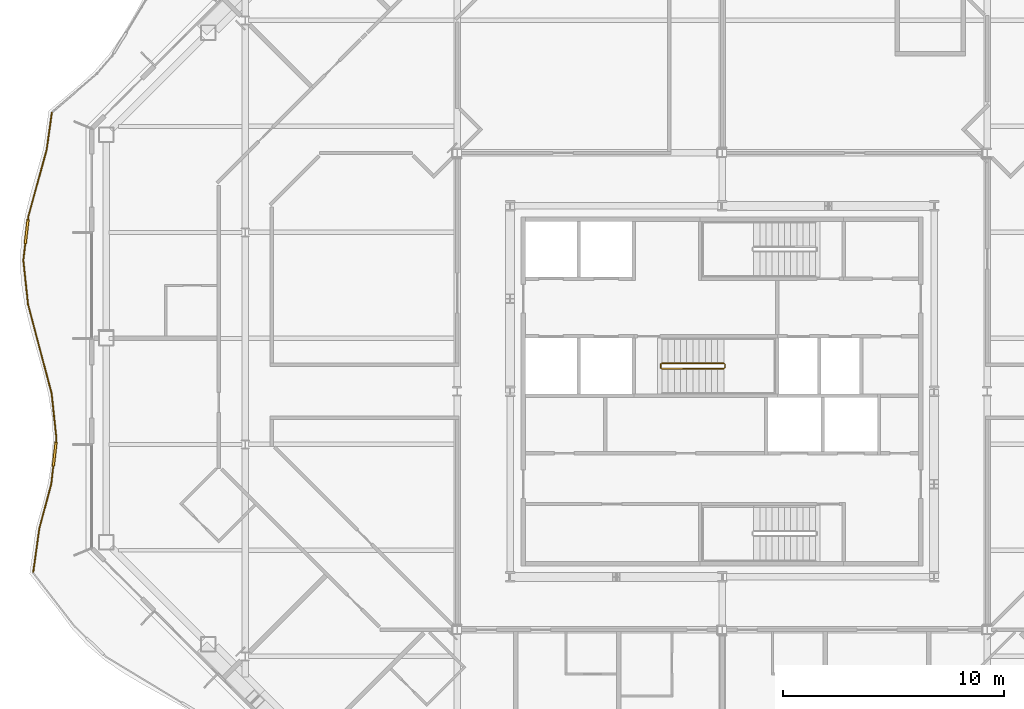
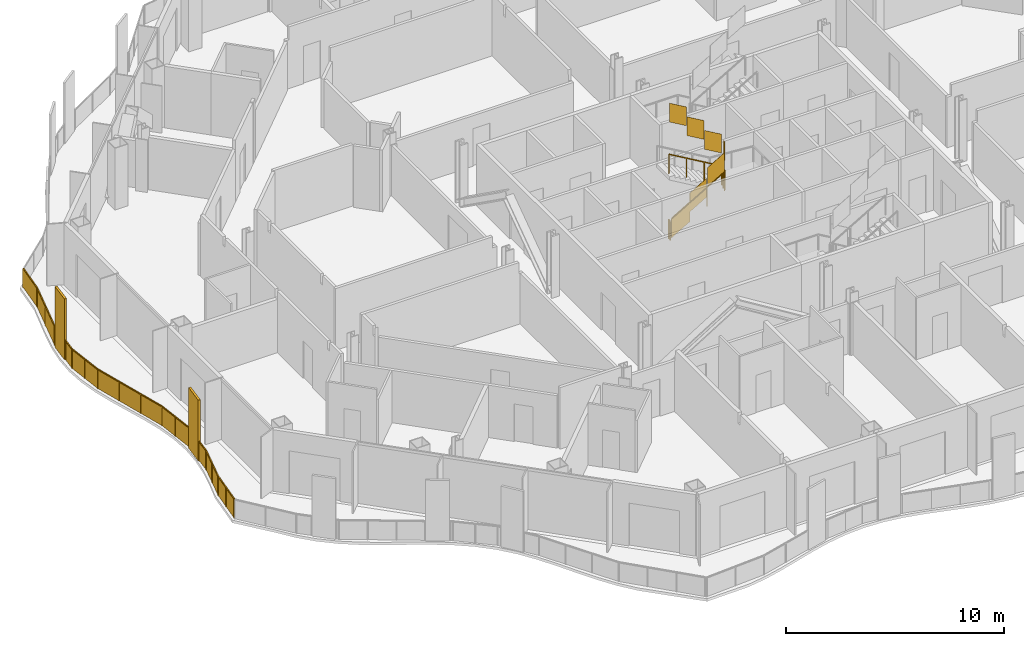
# One storey, part 17 of 21: 3 railings.
"""IFC4 building model written with IfcOpenShell, lengths in metres."""

from ifc_helpers import new_model, si_unit, direction, frame, origin, origin_2d, place, context, subcontext, project, spatial, polyline, rectangle, outline, extrude, material, type_object, element, save


model = new_model("IFC4")

# Units and contexts
model_context = context("Model", 3, precision=1e-05, world=origin(), true_north=direction((0.0, 1.0)))
body_context = subcontext(model_context, "Body", "Model", "MODEL_VIEW")
ifc_project = project(units=[si_unit("LENGTHUNIT", "METRE"), si_unit("AREAUNIT", "SQUARE_METRE"), si_unit("VOLUMEUNIT", "CUBIC_METRE"), si_unit("PLANEANGLEUNIT", "RADIAN"), si_unit("MASSUNIT", "GRAM", prefix="KILO")], contexts=[model_context])

# Site, building, storey
site_placement = place(None, origin())
site = spatial("IfcSite", under=ifc_project, at=site_placement, CompositionType="ELEMENT")
building_placement = place(site_placement, origin())
building = spatial("IfcBuilding", under=site, at=building_placement, Name="Cairn Pilgrim Tower", CompositionType="ELEMENT")
storey_placement = place(building_placement, frame((0.0, 0.0, 139.800048828125)))
storey = spatial("IfcBuildingStorey", under=building, at=storey_placement, Name="L34", CompositionType="ELEMENT", Elevation=139.800048828125)

# Railings
ifc_material_1 = material(Name="Bronze anodised aluminium rail, posts and fin screens with laminated glass infill", Category="aluminium")
railing_type_1 = type_object("IfcRailingType", Name="BALCONY GUARD WITH FIN SCREENS", PredefinedType="GUARDRAIL", material=ifc_material_1)
railing_1_placement = place(storey_placement, frame((-23.1572265625, 15.02685546875, 0.0)))
element("IfcRailing", 1, at=railing_1_placement, inside=storey, type_object=railing_type_1, Name="Balcony guard BGF-7 with fin screens", PredefinedType="GUARDRAIL", context=body_context, shape_type="SweptSolid", body=[
    extrude(rectangle(XDim=0.050048828125, YDim=0.050048828125, at=origin_2d()), frame((0.0, 0.0, 1.0751953125), z_axis=(-0.138172880058, -0.990408125581, 0.0), x_axis=(0.990408125581, -0.138172880058, 0.0)), (0.0, 0.0, 1.0), 1.683837890625),
    extrude(rectangle(XDim=0.050048828125, YDim=0.050048828125, at=origin_2d()), frame((-0.232666015625, -1.667724609375, 1.0751953125), z_axis=(-0.264018256872, -0.964517682595, 0.0), x_axis=(0.964517682595, -0.264018256872, 0.0)), (0.0, 0.0, 1.0), 3.141357421875),
    extrude(rectangle(XDim=1.10009765625, YDim=0.110107421875, at=origin_2d()), frame((-1.14208984375, -5.392822265625, 0.0), z_axis=(0.0, 0.0, 1.0), x_axis=(-0.114504022567, -0.993422784526, 0.0)), (0.0, 0.0, 1.0), 3.39990234375),
    extrude(rectangle(XDim=0.050048828125, YDim=0.050048828125, at=origin_2d()), frame((-1.06201171875, -4.697509765625, 1.0751953125), z_axis=(-0.114504022567, -0.993422784526, 0.0), x_axis=(0.993422784526, -0.114504022567, 0.0)), (0.0, 0.0, 1.0), 0.14990234375),
    extrude(rectangle(XDim=0.050048828125, YDim=0.050048828125, at=origin_2d()), frame((-1.205078125, -5.939208984375, 1.0751953125), z_axis=(-0.114504022567, -0.993422784526, 0.0), x_axis=(0.993422784526, -0.114504022567, 0.0)), (0.0, 0.0, 1.0), 0.75634765625),
    extrude(rectangle(XDim=0.050048828125, YDim=0.050048828125, at=origin_2d()), frame((-1.291748046875, -6.690673828125, 1.0751953125), z_axis=(0.105844992091, -0.994382641466, 0.0), x_axis=(0.994382641466, 0.105844992091, 0.0)), (0.0, 0.0, 1.0), 2.00439453125),
    extrude(rectangle(XDim=0.050048828125, YDim=0.050048828125, at=origin_2d()), frame((-1.07958984375, -8.683837890625, 1.0751953125), z_axis=(0.255757741287, -0.966740905192, 0.0), x_axis=(0.966740905192, 0.255757741287, 0.0)), (0.0, 0.0, 1.0), 4.18115234375),
    extrude(rectangle(XDim=0.050048828125, YDim=0.050048828125, at=origin_2d()), frame((-0.01025390625, -12.725830078125, 1.0751953125), z_axis=(0.105918159941, -0.994374850544, 0.0), x_axis=(0.994374850544, 0.105918159941, 0.0)), (0.0, 0.0, 1.0), 2.060546875),
    extrude(rectangle(XDim=1.10009765625, YDim=0.110107421875, at=origin_2d()), frame((0.1279296875, -15.47021484375, 0.0), z_axis=(0.0, 0.0, 1.0), x_axis=(-0.114367959767, -0.993438457973, 0.0)), (0.0, 0.0, 1.0), 3.39990234375),
    extrude(rectangle(XDim=0.050048828125, YDim=0.050048828125, at=origin_2d()), frame((0.2080078125, -14.77490234375, 1.0751953125), z_axis=(-0.114367959767, -0.993438457973, 0.0), x_axis=(0.993438457973, -0.114367959767, 0.0)), (0.0, 0.0, 1.0), 0.14990234375),
    extrude(rectangle(XDim=0.050048828125, YDim=0.050048828125, at=origin_2d()), frame((0.06494140625, -16.0166015625, 1.0751953125), z_axis=(-0.114367959767, -0.993438457973, 0.0), x_axis=(0.993438457973, -0.114367959767, 0.0)), (0.0, 0.0, 1.0), 0.812255859375),
    extrude(rectangle(XDim=0.050048828125, YDim=0.050048828125, at=origin_2d()), frame((-0.02783203125, -16.823486328125, 1.0751953125), z_axis=(-0.258932270629, -0.965895480488, 0.0), x_axis=(0.965895480488, -0.258932270629, 0.0)), (0.0, 0.0, 1.0), 2.09423828125),
    extrude(rectangle(XDim=0.050048828125, YDim=0.050048828125, at=origin_2d()), frame((-0.570068359375, -18.84619140625, 1.0751953125), z_axis=(-0.137564975502, -0.990492744807, 0.0), x_axis=(0.990492744807, -0.137564975502, 0.0)), (0.0, 0.0, 1.0), 1.959228515625),
    extrude(rectangle(XDim=0.050048828125, YDim=0.050048828125, at=origin_2d()), origin(), (0.0, 0.0, 1.0), 1.050048828125),
    extrude(rectangle(XDim=0.050048828125, YDim=0.050048828125, at=origin_2d()), frame((-0.232666015625, -1.667724609375, 0.0)), (0.0, 0.0, 1.0), 1.050048828125),
    extrude(rectangle(XDim=0.050048828125, YDim=0.050048828125, at=origin_2d()), frame((-0.6474609375, -3.1826171875, 0.0)), (0.0, 0.0, 1.0), 1.050048828125),
    extrude(rectangle(XDim=0.050048828125, YDim=0.050048828125, at=origin_2d()), frame((-1.06201171875, -4.697509765625, 0.0)), (0.0, 0.0, 1.0), 1.050048828125),
    extrude(rectangle(XDim=0.050048828125, YDim=0.050048828125, at=origin_2d()), frame((-1.076416015625, -4.821533203125, 0.0)), (0.0, 0.0, 1.0), 1.050048828125),
    extrude(rectangle(XDim=0.050048828125, YDim=0.050048828125, at=origin_2d()), frame((-1.2080078125, -5.964111328125, 0.0)), (0.0, 0.0, 1.0), 1.050048828125),
    extrude(rectangle(XDim=0.050048828125, YDim=0.050048828125, at=origin_2d()), frame((-1.291748046875, -6.690673828125, 0.0)), (0.0, 0.0, 1.0), 1.050048828125),
    extrude(rectangle(XDim=0.050048828125, YDim=0.050048828125, at=origin_2d()), frame((-1.185546875, -7.687255859375, 0.0)), (0.0, 0.0, 1.0), 1.050048828125),
    extrude(rectangle(XDim=0.050048828125, YDim=0.050048828125, at=origin_2d()), frame((-1.07958984375, -8.683837890625, 0.0)), (0.0, 0.0, 1.0), 1.050048828125),
    extrude(rectangle(XDim=0.050048828125, YDim=0.050048828125, at=origin_2d()), frame((-0.72314453125, -10.03125, 0.0)), (0.0, 0.0, 1.0), 1.050048828125),
    extrude(rectangle(XDim=0.050048828125, YDim=0.050048828125, at=origin_2d()), frame((-0.36669921875, -11.37841796875, 0.0)), (0.0, 0.0, 1.0), 1.050048828125),
    extrude(rectangle(XDim=0.050048828125, YDim=0.050048828125, at=origin_2d()), frame((-0.01025390625, -12.725830078125, 0.0)), (0.0, 0.0, 1.0), 1.050048828125),
    extrude(rectangle(XDim=0.050048828125, YDim=0.050048828125, at=origin_2d()), frame((0.098876953125, -13.75048828125, 0.0)), (0.0, 0.0, 1.0), 1.050048828125),
    extrude(rectangle(XDim=0.050048828125, YDim=0.050048828125, at=origin_2d()), frame((0.2080078125, -14.77490234375, 0.0)), (0.0, 0.0, 1.0), 1.050048828125),
    extrude(rectangle(XDim=0.050048828125, YDim=0.050048828125, at=origin_2d()), frame((0.19384765625, -14.89892578125, 0.0)), (0.0, 0.0, 1.0), 1.050048828125),
    extrude(rectangle(XDim=0.050048828125, YDim=0.050048828125, at=origin_2d()), frame((0.062255859375, -16.04150390625, 0.0)), (0.0, 0.0, 1.0), 1.050048828125),
    extrude(rectangle(XDim=0.050048828125, YDim=0.050048828125, at=origin_2d()), frame((-0.02783203125, -16.823486328125, 0.0)), (0.0, 0.0, 1.0), 1.050048828125),
    extrude(rectangle(XDim=0.050048828125, YDim=0.050048828125, at=origin_2d()), frame((-0.298828125, -17.8349609375, 0.0)), (0.0, 0.0, 1.0), 1.050048828125),
    extrude(rectangle(XDim=0.050048828125, YDim=0.050048828125, at=origin_2d()), frame((-0.570068359375, -18.84619140625, 0.0)), (0.0, 0.0, 1.0), 1.050048828125),
    extrude(rectangle(XDim=0.050048828125, YDim=0.050048828125, at=origin_2d()), frame((-0.704833984375, -19.81640625, 0.0)), (0.0, 0.0, 1.0), 1.050048828125),
    extrude(rectangle(XDim=0.050048828125, YDim=0.050048828125, at=origin_2d()), frame((-0.839599609375, -20.786865234375, 0.0)), (0.0, 0.0, 1.0), 1.050048828125),
    extrude(outline(polyline([(0.02490234375, 0.0), (1.658935546875, 0.0), (1.658935546875, 1.050048828125), (0.02490234375, 1.050048828125), (0.02490234375, 0.0)])), frame((0.005859375, -0.000732421875, 0.0), z_axis=(-0.990408125581, 0.138172880058, 0.0), x_axis=(-0.138172880058, -0.990408125581, 0.0)), (0.0, 0.0, 1.0), 0.011962890625),
    extrude(outline(polyline([(0.02490234375, 0.0), (1.545654296875, 0.0), (1.545654296875, 1.050048828125), (0.02490234375, 1.050048828125), (0.02490234375, 0.0)])), frame((-0.226806640625, -1.669189453125, 0.0), z_axis=(-0.964517682595, 0.264018256872, 0.0), x_axis=(-0.264018256872, -0.964517682595, 0.0)), (0.0, 0.0, 1.0), 0.011962890625),
    extrude(outline(polyline([(0.02490234375, 0.0), (1.545654296875, 0.0), (1.545654296875, 1.050048828125), (0.02490234375, 1.050048828125), (0.02490234375, 0.0)])), frame((-0.6416015625, -3.18408203125, 0.0), z_axis=(-0.964517682595, 0.264018256872, 0.0), x_axis=(-0.264018256872, -0.964517682595, 0.0)), (0.0, 0.0, 1.0), 0.011962890625),
    extrude(outline(polyline([(0.02490234375, 0.0), (0.099853515625, 0.0), (0.099853515625, 1.050048828125), (0.02490234375, 1.050048828125), (0.02490234375, 0.0)])), frame((-1.05615234375, -4.6982421875, 0.0), z_axis=(-0.993422784526, 0.114504022567, 0.0), x_axis=(-0.114504022567, -0.993422784526, 0.0)), (0.0, 0.0, 1.0), 0.011962890625),
    extrude(outline(polyline([(0.02490234375, 0.0), (0.706298828125, 0.0), (0.706298828125, 1.050048828125), (0.02490234375, 1.050048828125), (0.02490234375, 0.0)])), frame((-1.2021484375, -5.96484375, 0.0), z_axis=(-0.993422784526, 0.114504022567, 0.0), x_axis=(-0.114504022567, -0.993422784526, 0.0)), (0.0, 0.0, 1.0), 0.011962890625),
    extrude(outline(polyline([(0.02490234375, 0.0), (0.977294921875, 0.0), (0.977294921875, 1.050048828125), (0.02490234375, 1.050048828125), (0.02490234375, 0.0)])), frame((-1.285888671875, -6.68994140625, 0.0), z_axis=(-0.994382641466, -0.105844992091, 0.0), x_axis=(0.105844992091, -0.994382641466, 0.0)), (0.0, 0.0, 1.0), 0.011962890625),
    extrude(outline(polyline([(0.02490234375, 0.0), (0.977294921875, 0.0), (0.977294921875, 1.050048828125), (0.02490234375, 1.050048828125), (0.02490234375, 0.0)])), frame((-1.1796875, -7.6865234375, 0.0), z_axis=(-0.994382641466, -0.105844992091, 0.0), x_axis=(0.105844992091, -0.994382641466, 0.0)), (0.0, 0.0, 1.0), 0.011962890625),
    extrude(outline(polyline([(0.02490234375, 0.0), (1.36865234375, 0.0), (1.36865234375, 1.050048828125), (0.02490234375, 1.050048828125), (0.02490234375, 0.0)])), frame((-1.07373046875, -8.682373046875, 0.0), z_axis=(-0.966740905192, -0.255757741287, 0.0), x_axis=(0.255757741287, -0.966740905192, 0.0)), (0.0, 0.0, 1.0), 0.011962890625),
    extrude(outline(polyline([(0.02490234375, 0.0), (1.36865234375, 0.0), (1.36865234375, 1.050048828125), (0.02490234375, 1.050048828125), (0.02490234375, 0.0)])), frame((-0.71728515625, -10.029541015625, 0.0), z_axis=(-0.966740905192, -0.255757741287, 0.0), x_axis=(0.255757741287, -0.966740905192, 0.0)), (0.0, 0.0, 1.0), 0.011962890625),
    extrude(outline(polyline([(0.02490234375, 0.0), (1.36865234375, 0.0), (1.36865234375, 1.050048828125), (0.02490234375, 1.050048828125), (0.02490234375, 0.0)])), frame((-0.36083984375, -11.376953125, 0.0), z_axis=(-0.966740905192, -0.255757741287, 0.0), x_axis=(0.255757741287, -0.966740905192, 0.0)), (0.0, 0.0, 1.0), 0.011962890625),
    extrude(outline(polyline([(0.02490234375, 0.0), (1.00537109375, 0.0), (1.00537109375, 1.050048828125), (0.02490234375, 1.050048828125), (0.02490234375, 0.0)])), frame((-0.00439453125, -12.72509765625, 0.0), z_axis=(-0.994374850544, -0.105918159941, 0.0), x_axis=(0.105918159941, -0.994374850544, 0.0)), (0.0, 0.0, 1.0), 0.011962890625),
    extrude(outline(polyline([(0.02490234375, 0.0), (1.00537109375, 0.0), (1.00537109375, 1.050048828125), (0.02490234375, 1.050048828125), (0.02490234375, 0.0)])), frame((0.104736328125, -13.749755859375, 0.0), z_axis=(-0.994374850544, -0.105918159941, 0.0), x_axis=(0.105918159941, -0.994374850544, 0.0)), (0.0, 0.0, 1.0), 0.011962890625),
    extrude(outline(polyline([(0.02490234375, 0.0), (0.099853515625, 0.0), (0.099853515625, 1.050048828125), (0.02490234375, 1.050048828125), (0.02490234375, 0.0)])), frame((0.2138671875, -14.775634765625, 0.0), z_axis=(-0.993438457973, 0.114367959767, 0.0), x_axis=(-0.114367959767, -0.993438457973, 0.0)), (0.0, 0.0, 1.0), 0.011962890625),
    extrude(outline(polyline([(0.02490234375, 0.0), (0.76220703125, 0.0), (0.76220703125, 1.050048828125), (0.02490234375, 1.050048828125), (0.02490234375, 0.0)])), frame((0.068115234375, -16.042236328125, 0.0), z_axis=(-0.993438457973, 0.114367959767, 0.0), x_axis=(-0.114367959767, -0.993438457973, 0.0)), (0.0, 0.0, 1.0), 0.011962890625),
    extrude(outline(polyline([(0.02490234375, 0.0), (1.02197265625, 0.0), (1.02197265625, 1.050048828125), (0.02490234375, 1.050048828125), (0.02490234375, 0.0)])), frame((-0.02197265625, -16.824951171875, 0.0), z_axis=(-0.965895480488, 0.258932270629, 0.0), x_axis=(-0.258932270629, -0.965895480488, 0.0)), (0.0, 0.0, 1.0), 0.011962890625),
    extrude(outline(polyline([(0.02490234375, 0.0), (1.02197265625, 0.0), (1.02197265625, 1.050048828125), (0.02490234375, 1.050048828125), (0.02490234375, 0.0)])), frame((-0.293212890625, -17.83642578125, 0.0), z_axis=(-0.965895480488, 0.258932270629, 0.0), x_axis=(-0.258932270629, -0.965895480488, 0.0)), (0.0, 0.0, 1.0), 0.011962890625),
    extrude(outline(polyline([(0.02490234375, 0.0), (0.95458984375, 0.0), (0.95458984375, 1.050048828125), (0.02490234375, 1.050048828125), (0.02490234375, 0.0)])), frame((-0.564208984375, -18.846923828125, 0.0), z_axis=(-0.990492744807, 0.137564975502, 0.0), x_axis=(-0.137564975502, -0.990492744807, 0.0)), (0.0, 0.0, 1.0), 0.011962890625),
    extrude(outline(polyline([(0.02490234375, 0.0), (0.95458984375, 0.0), (0.95458984375, 1.050048828125), (0.02490234375, 1.050048828125), (0.02490234375, 0.0)])), frame((-0.698974609375, -19.8173828125, 0.0), z_axis=(-0.990492744807, 0.137564975502, 0.0), x_axis=(-0.137564975502, -0.990492744807, 0.0)), (0.0, 0.0, 1.0), 0.011962890625),
])
ifc_material_2 = material(Name="Painted steel", Category="steel")
railing_type_2 = type_object("IfcRailingType", Name="STAIR GUARD 1100", PredefinedType="GUARDRAIL", material=ifc_material_2)
railing_2_placement = place(storey_placement, frame((4.47509765625, 3.425048828125, 0.16357421875)))
element("IfcRailing", 2, at=railing_2_placement, inside=storey, type_object=railing_type_2, Name="L34 ST-B stair guard 1", PredefinedType="GUARDRAIL", context=body_context, shape_type="SweptSolid", body=[
    extrude(rectangle(XDim=0.048095703125, YDim=0.048095703125, at=origin_2d()), frame((0.0, 0.0, 1.076171875), z_axis=(0.863341702679, 0.0, 0.504619762213), x_axis=(0.0, 1.0, 0.0)), (0.0, 0.0, 1.0), 3.242919921875),
    extrude(rectangle(XDim=0.048095703125, YDim=0.048095703125, at=origin_2d()), frame((2.7998046875, 0.0, 2.71240234375), z_axis=(0.707106781187, 0.707106781187, 0.0), x_axis=(-0.707106781187, 0.707106781187, 0.0)), (0.0, 0.0, 1.0), 0.07080078125),
    extrude(rectangle(XDim=0.048095703125, YDim=0.048095703125, at=origin_2d()), frame((2.849853515625, 0.050048828125, 2.71240234375), z_axis=(0.0, 1.0, 0.0), x_axis=(-1.0, 0.0, 0.0)), (0.0, 0.0, 1.0), 0.14990234375),
    extrude(rectangle(XDim=0.048095703125, YDim=0.048095703125, at=origin_2d()), frame((2.849853515625, 0.199951171875, 2.71240234375), z_axis=(-0.280808744504, 0.280808744504, 0.917765164963), x_axis=(-0.707106781187, -0.707106781187, 0.0)), (0.0, 0.0, 1.0), 0.17822265625),
    extrude(rectangle(XDim=0.048095703125, YDim=0.048095703125, at=origin_2d()), frame((2.7998046875, 0.25, 2.8759765625), z_axis=(-0.863374499697, 0.0, 0.504563646405), x_axis=(0.0, -1.0, 0.0)), (0.0, 0.0, 1.0), 3.242919921875),
    extrude(rectangle(XDim=0.0419921875, YDim=0.0419921875, at=origin_2d()), origin(), (0.0, 0.0, 1.0), 1.052001953125),
    extrude(rectangle(XDim=0.0419921875, YDim=0.0419921875, at=origin_2d()), frame((0.933349609375, 0.0, 0.54541015625)), (0.0, 0.0, 1.0), 1.052001953125),
    extrude(rectangle(XDim=0.0419921875, YDim=0.0419921875, at=origin_2d()), frame((1.866455078125, 0.0, 1.091064453125)), (0.0, 0.0, 1.0), 1.052001953125),
    extrude(rectangle(XDim=0.0419921875, YDim=0.0419921875, at=origin_2d()), frame((2.7998046875, 0.0, 1.636474609375)), (0.0, 0.0, 1.0), 1.052001953125),
    extrude(rectangle(XDim=0.0419921875, YDim=0.0419921875, at=origin_2d()), frame((2.849853515625, 0.050048828125, 1.636474609375)), (0.0, 0.0, 1.0), 1.052001953125),
    extrude(rectangle(XDim=0.0419921875, YDim=0.0419921875, at=origin_2d()), frame((2.849853515625, 0.199951171875, 1.636474609375)), (0.0, 0.0, 1.0), 1.052001953125),
    extrude(rectangle(XDim=0.0419921875, YDim=0.0419921875, at=origin_2d()), frame((2.7998046875, 0.25, 1.800048828125)), (0.0, 0.0, 1.0), 1.052001953125),
    extrude(rectangle(XDim=0.0419921875, YDim=0.0419921875, at=origin_2d()), frame((1.866455078125, 0.25, 2.345458984375)), (0.0, 0.0, 1.0), 1.052001953125),
    extrude(rectangle(XDim=0.0419921875, YDim=0.0419921875, at=origin_2d()), frame((0.933349609375, 0.25, 2.890869140625)), (0.0, 0.0, 1.0), 1.052001953125),
    extrude(rectangle(XDim=0.0419921875, YDim=0.0419921875, at=origin_2d()), frame((0.0, 0.25, 3.436279296875)), (0.0, 0.0, 1.0), 1.052001953125),
    extrude(outline(polyline([(0.02099609375, 0.01220703125), (0.912353515625, 0.533203125), (0.912353515625, 1.585205078125), (0.02099609375, 1.064208984375), (0.02099609375, 0.01220703125)])), frame((0.0, 0.005859375, 0.0), z_axis=(0.0, -1.0, 0.0), x_axis=(1.0, 0.0, 0.0)), (0.0, 0.0, 1.0), 0.011962890625),
    extrude(outline(polyline([(0.02099609375, 0.557861328125), (0.912353515625, 1.07861328125), (0.912353515625, 2.130615234375), (0.02099609375, 1.60986328125), (0.02099609375, 0.557861328125)])), frame((0.933349609375, 0.005859375, 0.54541015625), z_axis=(0.0, -1.0, 0.0), x_axis=(1.0, 0.0, 0.0)), (0.0, 0.0, 1.0), 0.011962890625),
    extrude(outline(polyline([(0.02099609375, 1.103271484375), (0.912353515625, 1.624267578125), (0.912353515625, 2.67626953125), (0.02099609375, 2.1552734375), (0.02099609375, 1.103271484375)])), frame((1.866455078125, 0.005859375, 1.091064453125), z_axis=(0.0, -1.0, 0.0), x_axis=(1.0, 0.0, 0.0)), (0.0, 0.0, 1.0), 0.011962890625),
    extrude(outline(polyline([(0.02099609375, 1.636474609375), (0.12890625, 1.636474609375), (0.12890625, 2.6884765625), (0.02099609375, 2.6884765625), (0.02099609375, 1.636474609375)])), frame((2.84375, 0.050048828125, 1.636474609375), z_axis=(1.0, 0.0, 0.0), x_axis=(0.0, 1.0, 0.0)), (0.0, 0.0, 1.0), 0.011962890625),
    extrude(outline(polyline([(0.02099609375, 1.812255859375), (0.912353515625, 2.333251953125), (0.912353515625, 3.38525390625), (0.02099609375, 2.8642578125), (0.02099609375, 1.812255859375)])), frame((2.7998046875, 0.244140625, 1.800048828125), z_axis=(0.0, 1.0, 0.0), x_axis=(-1.0, 0.0, 0.0)), (0.0, 0.0, 1.0), 0.011962890625),
    extrude(outline(polyline([(0.02099609375, 2.357666015625), (0.912353515625, 2.878662109375), (0.912353515625, 3.9306640625), (0.02099609375, 3.40966796875), (0.02099609375, 2.357666015625)])), frame((1.866455078125, 0.244140625, 2.345458984375), z_axis=(0.0, 1.0, 0.0), x_axis=(-1.0, 0.0, 0.0)), (0.0, 0.0, 1.0), 0.011962890625),
    extrude(outline(polyline([(0.02099609375, 2.903076171875), (0.912353515625, 3.424072265625), (0.912353515625, 4.47607421875), (0.02099609375, 3.955078125), (0.02099609375, 2.903076171875)])), frame((0.933349609375, 0.244140625, 2.890869140625), z_axis=(0.0, 1.0, 0.0), x_axis=(-1.0, 0.0, 0.0)), (0.0, 0.0, 1.0), 0.011962890625),
])
railing_3_placement = place(storey_placement, frame((4.425048828125, 3.47509765625, 0.0)))
element("IfcRailing", 3, at=railing_3_placement, inside=storey, type_object=railing_type_2, Name="L34 ST-B stair guard 2", PredefinedType="GUARDRAIL", context=body_context, shape_type="SweptSolid", body=[
    extrude(rectangle(XDim=0.048095703125, YDim=0.048095703125, at=origin_2d()), frame((0.0, 0.0, 1.076171875), z_axis=(0.0, 1.0, 0.0), x_axis=(-1.0, 0.0, 0.0)), (0.0, 0.0, 1.0), 0.14990234375),
    extrude(rectangle(XDim=0.0419921875, YDim=0.0419921875, at=origin_2d()), origin(), (0.0, 0.0, 1.0), 1.052001953125),
    extrude(rectangle(XDim=0.0419921875, YDim=0.0419921875, at=origin_2d()), frame((0.0, 0.14990234375, 0.0)), (0.0, 0.0, 1.0), 1.052001953125),
    extrude(outline(polyline([(0.02099609375, 0.0), (0.12890625, 0.0), (0.12890625, 1.052001953125), (0.02099609375, 1.052001953125), (0.02099609375, 0.0)])), frame((-0.005859375, 0.0, 0.0), z_axis=(1.0, 0.0, 0.0), x_axis=(0.0, 1.0, 0.0)), (0.0, 0.0, 1.0), 0.011962890625),
])

save(model, "model.ifc")
